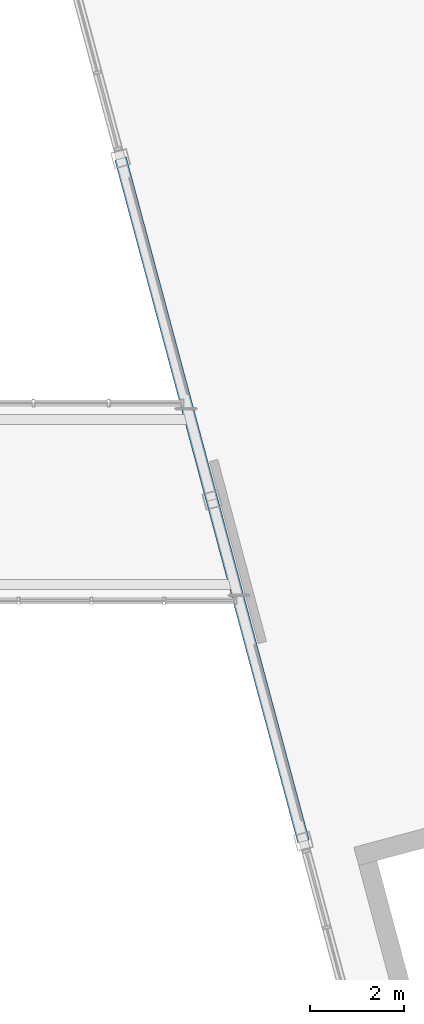
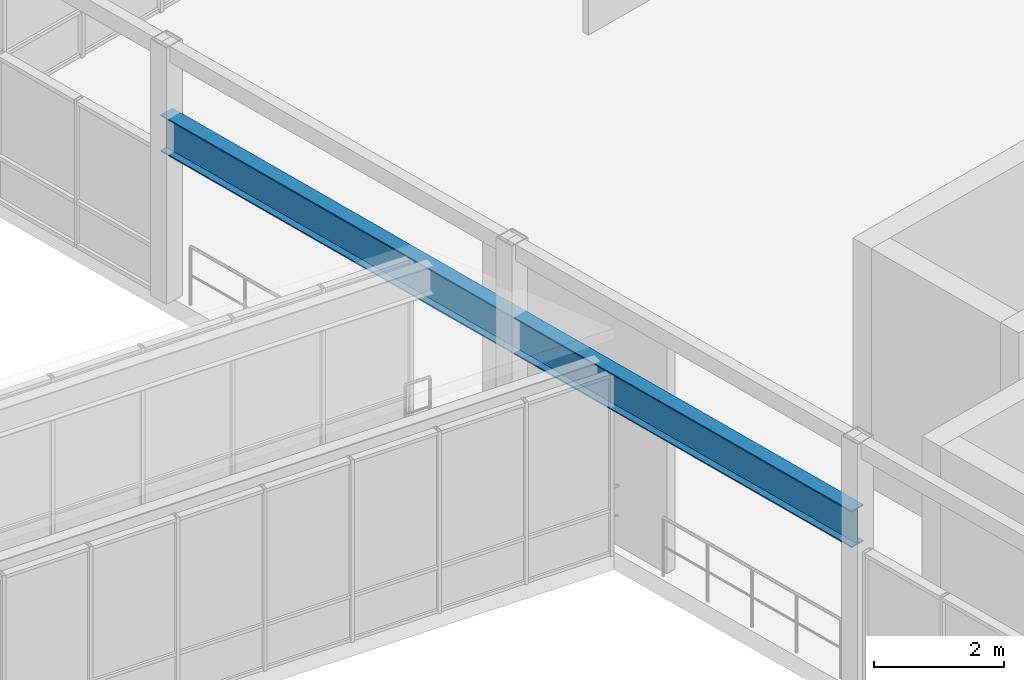
# One storey, part 30 of 99: 1 beam.
"""IFC4 building model written with IfcOpenShell, lengths in metres."""

from ifc_helpers import new_model, si_unit, direction, frame, origin, origin_2d, place, context, subcontext, project, spatial, i_section, extrude, material, material_profile, profile_set, type_object, element, save


model = new_model("IFC4")

# Units and contexts
model_context = context("Model", 3, precision=1e-05, world=origin(), true_north=direction((0.0, 1.0)))
body_context = subcontext(model_context, "Body", "Model", "MODEL_VIEW")
ifc_project = project(units=[si_unit("LENGTHUNIT", "METRE"), si_unit("AREAUNIT", "SQUARE_METRE"), si_unit("VOLUMEUNIT", "CUBIC_METRE"), si_unit("PLANEANGLEUNIT", "RADIAN"), si_unit("MASSUNIT", "GRAM", prefix="KILO")], contexts=[model_context])

# Site, building, storey
site_placement = place(None, origin())
site = spatial("IfcSite", under=ifc_project, at=site_placement, CompositionType="ELEMENT")
building_placement = place(site_placement, origin())
building = spatial("IfcBuilding", under=site, at=building_placement, Name="Ventoquebrada Cableway Terminal", CompositionType="ELEMENT")
storey_placement = place(building_placement, frame((0.0, 0.0, 9.60009765625)))
storey = spatial("IfcBuildingStorey", under=building, at=storey_placement, Name="L02", CompositionType="ELEMENT", Elevation=9.60009765625)

# Beam
ifc_material = material(Name="Steel ASTM A992 Grade 50", Category="steel")
ifc_material_profile = material_profile(ifc_material, i_section(OverallWidth=0.25390625, OverallDepth=0.68798828125, WebThickness=0.01318359375, FlangeThickness=0.02099609375, at=origin_2d()), Name="W27X102")
ifc_profile_set = profile_set([ifc_material_profile], Name="Steel ASTM A992 Grade 50")
beam_type = type_object("IfcBeamType", Name="BM-ST04", PredefinedType="BEAM", material=ifc_profile_set)
beam_placement = place(storey_placement, frame((50.553955078125, 75.096923828125, 3.100830078125), z_axis=(-0.258788966214, 0.965933885401, 0.0), x_axis=(-0.965933885401, -0.258788966214, 0.0)))
element("IfcBeam", 1, at=beam_placement, inside=storey, type_object=beam_type, Name="Bridge roof support girder LP-2 FBM-1109", PredefinedType="BEAM", context=body_context, shape_type="SweptSolid", body=[
    extrude(i_section(OverallWidth=0.25390625, OverallDepth=0.68798828125, WebThickness=0.01318359375, FlangeThickness=0.02099609375, at=origin_2d()), origin(), (0.0, 0.0, 1.0), 15.0),
])

save(model, "model.ifc")
